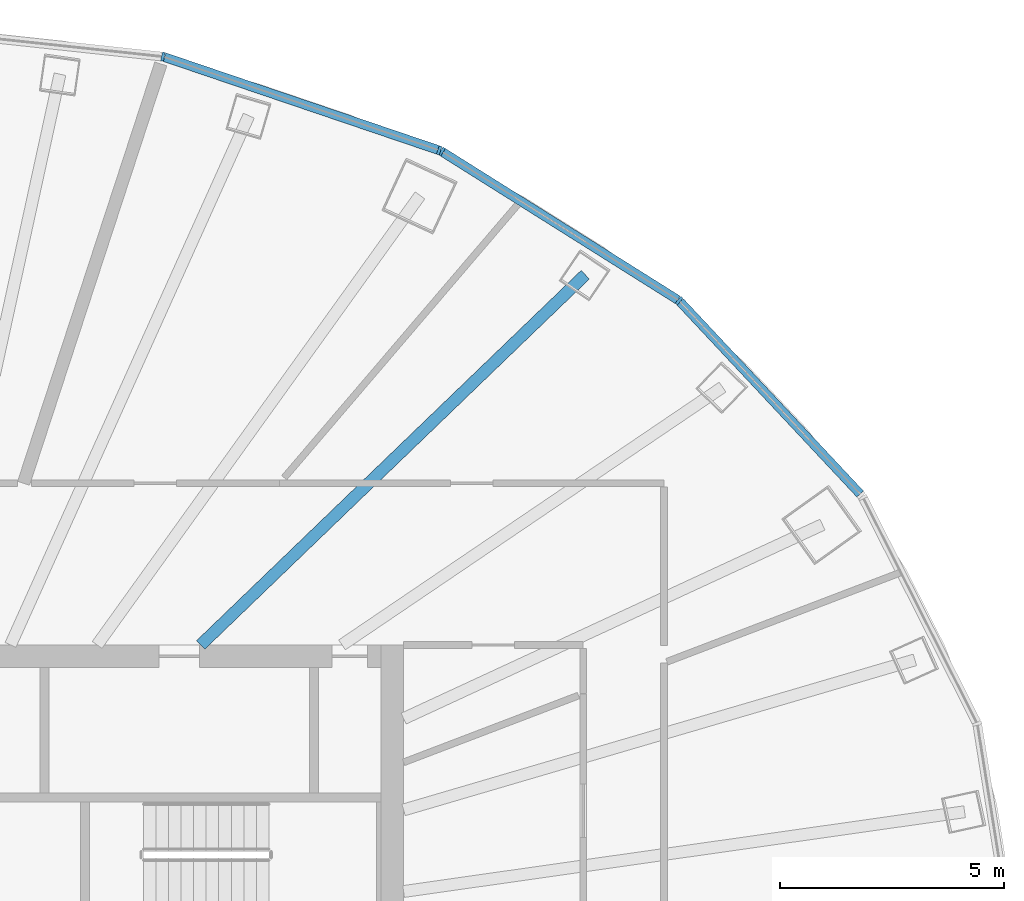
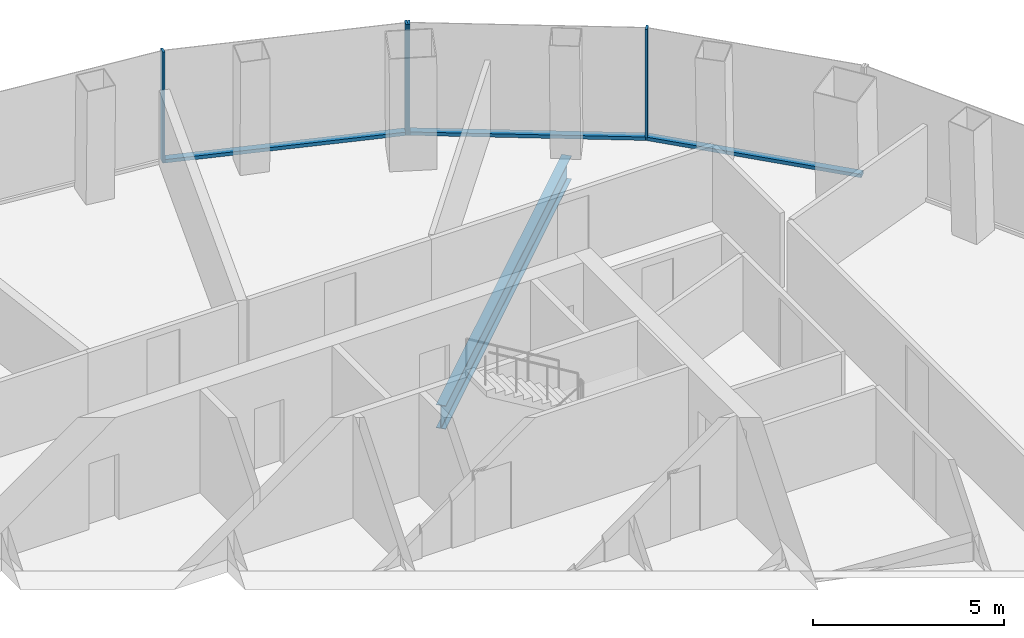
# One storey, part 6 of 12: 7 members, 1 beam, 2 elements without a shape of their own.
"""IFC4 building model written with IfcOpenShell, lengths in metres."""

import ifcopenshell
import ifcopenshell.guid

model = None  # the IFC model being written
_history = None  # IfcOwnerHistory: only IFC2X3 demands one
_inside = {}  # id of a spatial element -> (the spatial element, [elements in it])
_under = {}  # id of a project, library or spatial element -> (it, [spatial elements below it])
_declared = {}  # id of a project -> (the project, [libraries it declares])
_typed = {}  # id of a type object -> (the type object, [elements of that type])
_made_of = {}  # id of a material, layer set ... -> (it, [elements and type objects made of it])


def new_model(schema):
    """Start an empty IFC model of exactly this schema.

    Asked for "IFC4X3", IfcOpenShell would pick the latest addendum, in which some entities
    have other attributes; the version numbers below select the first issue.
    IFC2X3 requires an IfcOwnerHistory on every rooted entity: one is made here for all.
    """
    global model, _history
    if schema == "IFC4X3":
        model = ifcopenshell.file(schema_version=(4, 3, 0, 0))
    else:
        model = ifcopenshell.file(schema=schema)
    _inside.clear()
    _under.clear()
    _declared.clear()
    _typed.clear()
    _made_of.clear()
    _history = None
    if model.schema == "IFC2X3":
        org = make("IfcOrganization", Name="unknown")
        user = make(
            "IfcPersonAndOrganization",
            ThePerson=make("IfcPerson", FamilyName="unknown"),
            TheOrganization=org,
        )
        app = make(
            "IfcApplication",
            ApplicationDeveloper=org,
            Version="unknown",
            ApplicationFullName="unknown",
            ApplicationIdentifier="unknown",
        )
        _history = make(
            "IfcOwnerHistory",
            OwningUser=user,
            OwningApplication=app,
            ChangeAction="ADDED",
            CreationDate=0,
        )
    return model


def make(cls, **values):
    """One entity of the class cls with the attributes given. An attribute that is None is left unset."""
    return model.create_entity(
        cls, **{name: value for name, value in values.items() if value is not None}
    )


def rooted(cls, **values):
    """An entity with a GlobalId (a new one), such as an element, a storey or a relation."""
    return make(cls, GlobalId=ifcopenshell.guid.new(), OwnerHistory=_history, **values)


def si_unit(unit_type, name, prefix=None):
    """IfcSIUnit, for example si_unit("LENGTHUNIT", "METRE", prefix="MILLI")."""
    return make("IfcSIUnit", UnitType=unit_type, Prefix=prefix, Name=name)


def assignment(units):
    """IfcUnitAssignment: the units of a project."""
    return None if units is None else make("IfcUnitAssignment", Units=units)


def point(xyz):
    """IfcCartesianPoint."""
    return None if xyz is None else make("IfcCartesianPoint", Coordinates=xyz)


def direction(xyz):
    """IfcDirection."""
    return None if xyz is None else make("IfcDirection", DirectionRatios=xyz)


def frame(location, z_axis=None, x_axis=None):
    """IfcAxis2Placement3D, a coordinate frame: its origin and axes. An axis left out is left unset."""
    return make(
        "IfcAxis2Placement3D",
        Location=point(location),
        Axis=direction(z_axis),
        RefDirection=direction(x_axis),
    )


def frame_2d(location, x_axis=None):
    """IfcAxis2Placement2D, a coordinate frame in the plane: its origin and x axis."""
    return make(
        "IfcAxis2Placement2D", Location=point(location), RefDirection=direction(x_axis)
    )


def origin():
    """The frame at (0, 0, 0) with its axes left unset."""
    return frame((0.0, 0.0, 0.0))


def origin_2d():
    """The frame at (0, 0) in the plane with its x axis left unset."""
    return frame_2d((0.0, 0.0))


def place(relative_to, where):
    """IfcLocalPlacement: puts the frame where relative to a parent placement (None: the world)."""
    return make(
        "IfcLocalPlacement", PlacementRelTo=relative_to, RelativePlacement=where
    )


def context(
    kind, dimensions, precision=None, world=None, true_north=None, identifier=None
):
    """IfcGeometricRepresentationContext, for example the 3D "Model" context."""
    return make(
        "IfcGeometricRepresentationContext",
        ContextIdentifier=identifier,
        ContextType=kind,
        CoordinateSpaceDimension=dimensions,
        Precision=precision,
        WorldCoordinateSystem=world,
        TrueNorth=true_north,
    )


def subcontext(parent, identifier, kind, view, scale=None):
    """IfcGeometricRepresentationSubContext, for example "Body" below "Model"."""
    return make(
        "IfcGeometricRepresentationSubContext",
        ContextIdentifier=identifier,
        ContextType=kind,
        ParentContext=parent,
        TargetScale=scale,
        TargetView=view,
    )


def project(units=None, contexts=None):
    """IfcProject with its units and contexts."""
    return rooted(
        "IfcProject",
        Name="project",
        RepresentationContexts=contexts,
        UnitsInContext=assignment(units),
    )


def spatial(cls, under=None, at=None, **own):
    """A site, building, storey or space (cls), placed at a placement, below another one or the project."""
    s = rooted(cls, ObjectPlacement=at, **own)
    if under is not None:
        _under.setdefault(under.id(), (under, []))[1].append(s)
    return s


def profile(cls, at=None, kind="AREA", **sizes):
    """A parametric profile (cls). Its sizes go by their IFC names, for example OverallWidth=200.0."""
    return make(cls, ProfileType=kind, Position=at, **sizes)


def rectangle(**sizes):
    """IfcRectangleProfileDef."""
    return profile("IfcRectangleProfileDef", **sizes)


def i_section(**sizes):
    """IfcIShapeProfileDef."""
    return profile("IfcIShapeProfileDef", **sizes)


def extrude(swept, where, along, depth):
    """IfcExtrudedAreaSolid: the profile swept, set in the frame where, extruded along a direction by depth."""
    return make(
        "IfcExtrudedAreaSolid",
        SweptArea=swept,
        Position=where,
        ExtrudedDirection=direction(along),
        Depth=depth,
    )


def shape(context_of_items, identifier, shape_type, items):
    """IfcShapeRepresentation: the items that make up one representation, for example the "Body"."""
    return make(
        "IfcShapeRepresentation",
        ContextOfItems=context_of_items,
        RepresentationIdentifier=identifier,
        RepresentationType=shape_type,
        Items=items,
    )


def material(Name=None, Category=None):
    """IfcMaterial."""
    return make("IfcMaterial", Name=Name, Category=Category)


def layer(
    of_material, thickness, ventilated=None, Name=None, Category=None, Priority=None
):
    """IfcMaterialLayer: one layer of a wall or slab, of a material (None: an air gap)."""
    return make(
        "IfcMaterialLayer",
        Material=of_material,
        LayerThickness=thickness,
        IsVentilated=ventilated,
        Name=Name,
        Category=Category,
        Priority=Priority,
    )


def layer_set(layers, Name=None):
    """IfcMaterialLayerSet."""
    return make("IfcMaterialLayerSet", MaterialLayers=layers, LayerSetName=Name)


def material_profile(
    of_material, cross_section, Name=None, Category=None, Priority=None
):
    """IfcMaterialProfile: a cross section and its material."""
    return make(
        "IfcMaterialProfile",
        Name=Name,
        Material=of_material,
        Profile=cross_section,
        Priority=Priority,
        Category=Category,
    )


def profile_set(profiles, Name=None, composite=None):
    """IfcMaterialProfileSet."""
    return make(
        "IfcMaterialProfileSet",
        Name=Name,
        MaterialProfiles=profiles,
        CompositeProfile=composite,
    )


def made_of(thing, what):
    """Note that an element or type object is made of a material, layer set ...; save() writes the relation."""
    if what is not None:
        _made_of.setdefault(what.id(), (what, []))[1].append(thing)
    return thing


def type_object(cls, material=None, **own):
    """A type object (cls), such as IfcWallType, which elements share."""
    return made_of(rooted(cls, **own), material)


def element(
    cls,
    number,
    at=None,
    inside=None,
    cuts=None,
    type_object=None,
    material=None,
    context=None,
    identifier="Body",
    shape_type=None,
    held_by="IfcProductDefinitionShape",
    body=None,
    shapes=None,
    **own,
):
    """One element of the class cls, such as IfcWall. Its Tag is "e" and its number.

    at: its placement. inside: the storey or other place that contains it. cuts: it is an
    opening in that element (IfcRelVoidsElement). A single representation is given by context,
    identifier, shape_type and body (its items); several are given by shapes. held_by: the class
    of the entity that holds the representations. save() writes the other relations.
    """
    e = rooted(cls, Tag="e%d" % number, ObjectPlacement=at, **own)
    if body is not None:
        shapes = [shape(context, identifier, shape_type, body)]
    if shapes is not None:
        e.Representation = make(held_by, Representations=shapes)
    if inside is not None:
        _inside.setdefault(inside.id(), (inside, []))[1].append(e)
    if cuts is not None:
        rooted(
            "IfcRelVoidsElement", RelatingBuildingElement=cuts, RelatedOpeningElement=e
        )
    if type_object is not None:
        _typed.setdefault(type_object.id(), (type_object, []))[1].append(e)
    return made_of(e, material)


def aggregate(whole, parts):
    """IfcRelAggregates: a whole, such as a stair, and the parts it consists of."""
    return rooted("IfcRelAggregates", RelatingObject=whole, RelatedObjects=parts)


def save(model, path):
    """Write the relations noted so far, then the file.

    IfcRelAggregates (storeys below a building ...), IfcRelContainedInSpatialStructure (elements
    in a storey), IfcRelDefinesByType, IfcRelAssociatesMaterial and IfcRelDeclares: one each for
    every whole, place, type object, material and project.
    """
    for whole, parts in _under.values():
        aggregate(whole, parts)
    for where, things in _inside.values():
        rooted(
            "IfcRelContainedInSpatialStructure",
            RelatedElements=things,
            RelatingStructure=where,
        )
    for kind, things in _typed.values():
        rooted("IfcRelDefinesByType", RelatedObjects=things, RelatingType=kind)
    for what, things in _made_of.values():
        rooted("IfcRelAssociatesMaterial", RelatedObjects=things, RelatingMaterial=what)
    for by, libraries in _declared.values():
        rooted("IfcRelDeclares", RelatingContext=by, RelatedDefinitions=libraries)
    model.write(path)


model = new_model("IFC4")

# Units and contexts
model_context = context("Model", 3, precision=1e-05, world=origin(), true_north=direction((0.0, 1.0)))
body_context = subcontext(model_context, "Body", "Model", "MODEL_VIEW")
ifc_project = project(units=[si_unit("LENGTHUNIT", "METRE"), si_unit("AREAUNIT", "SQUARE_METRE"), si_unit("VOLUMEUNIT", "CUBIC_METRE"), si_unit("PLANEANGLEUNIT", "RADIAN"), si_unit("MASSUNIT", "GRAM", prefix="KILO")], contexts=[model_context])

# Site, building, storey
site_placement = place(None, origin())
site = spatial("IfcSite", under=ifc_project, at=site_placement, CompositionType="ELEMENT")
building_placement = place(site_placement, origin())
building = spatial("IfcBuilding", under=site, at=building_placement, Name="Siaravel Broadcast Tower", CompositionType="ELEMENT")
storey_placement = place(building_placement, frame((0.0, 0.0, 111.89990234375)))
storey = spatial("IfcBuildingStorey", under=building, at=storey_placement, Name="L26", CompositionType="ELEMENT", Elevation=111.89990234375)

# Beam
ifc_material_1 = material(Name="Steel S355", Category="steel")
ifc_material_profile_1 = material_profile(ifc_material_1, i_section(OverallWidth=0.26513671875, OverallDepth=0.75390625, WebThickness=0.0126953125, FlangeThickness=0.017578125, FilletRadius=0.0166015625, at=origin_2d()))
ifc_profile_set_1 = profile_set([ifc_material_profile_1], Name="Steel S355")
beam_type = type_object("IfcBeamType", Name="BM-UB 762x267x147", PredefinedType="BEAM", material=ifc_profile_set_1)
beam_placement = place(storey_placement, frame((16.046875, 15.447509765625, -0.52685546875), z_axis=(-0.720435694, -0.693521745, 0.0), x_axis=(0.693521745, -0.720435694, 0.0)))
element("IfcBeam", 1, at=beam_placement, inside=storey, type_object=beam_type, Name="Radial beam RB06", PredefinedType="BEAM", context=body_context, shape_type="SweptSolid", body=[
    extrude(i_section(OverallWidth=0.26513671875, OverallDepth=0.75390625, WebThickness=0.0126953125, FlangeThickness=0.017578125, FilletRadius=0.0166015625, at=origin_2d()), origin(), (0.0, 0.0, 1.0), 11.892333984375),
])

# Curtain wall, members
ifc_material_2 = material(Name="Aluminium 6063-T6", Category="aluminium")
ifc_layer = layer(ifc_material_2, 0.199951171875)
ifc_layer_set = layer_set([ifc_layer], Name="Aluminium 6063-T6")
curtain_wall_type = type_object("IfcCurtainWallType", Name="Unitised curtain wall, zone 2", PredefinedType="NOTDEFINED", material=ifc_layer_set)
curtain_wall_1_placement = place(storey_placement, origin())
curtain_wall_1 = element("IfcCurtainWall", 2, at=curtain_wall_1_placement, inside=storey, type_object=curtain_wall_type, Name="L26 Unitised curtain wall, zone 2 02", PredefinedType="NOTDEFINED")
ifc_material_profile_2 = material_profile(ifc_material_2, rectangle(XDim=0.199951171875, YDim=0.06494140625, at=origin_2d()))
ifc_profile_set_2 = profile_set([ifc_material_profile_2], Name="Aluminium 6063-T6")
member_type_1 = type_object("IfcMemberType", Name="CW-Z2 mullion", PredefinedType="MULLION", material=ifc_profile_set_2)
member_1_placement = place(storey_placement, frame((18.137451171875, 14.869384765625, 0.0), z_axis=(0.0, 0.0, 1.0), x_axis=(-0.63621839, -0.771509015, 0.0)))
member_1 = element("IfcMember", 3, at=member_1_placement, type_object=member_type_1, Name="CW-Z2 mullion 2", PredefinedType="MULLION", context=body_context, shape_type="SweptSolid", body=[
    extrude(rectangle(XDim=0.199951171875, YDim=0.06494140625, at=origin_2d()), origin(), (0.0, 0.0, 1.0), 3.550048828125),
])
member_2_placement = place(storey_placement, frame((12.8515625, 18.191650390625, 0.0), z_axis=(0.0, 0.0, 1.0), x_axis=(-0.532149019, -0.846650708, 0.0)))
member_2 = element("IfcMember", 4, at=member_2_placement, type_object=member_type_1, Name="CW-Z2 mullion 3", PredefinedType="MULLION", context=body_context, shape_type="SweptSolid", body=[
    extrude(rectangle(XDim=0.199951171875, YDim=0.06494140625, at=origin_2d()), origin(), (0.0, 0.0, 1.0), 3.550048828125),
])

curtain_wall_2_placement = place(storey_placement, origin())
curtain_wall_2 = element("IfcCurtainWall", 5, at=curtain_wall_2_placement, inside=storey, type_object=curtain_wall_type, Name="L26 Unitised curtain wall, zone 2 03", PredefinedType="NOTDEFINED")
member_3_placement = place(storey_placement, frame((12.793212890625, 18.21923828125, 0.0), z_axis=(0.0, 0.0, 1.0), x_axis=(-0.321300513, -0.946977286, 0.0)))
member_3 = element("IfcMember", 6, at=member_3_placement, type_object=member_type_1, Name="CW-Z2 mullion 1", PredefinedType="MULLION", context=body_context, shape_type="SweptSolid", body=[
    extrude(rectangle(XDim=0.199951171875, YDim=0.06494140625, at=origin_2d()), origin(), (0.0, 0.0, 1.0), 3.550048828125),
])
member_4_placement = place(storey_placement, frame((6.637939453125, 20.307861328125, 0.0), z_axis=(0.0, 0.0, 1.0), x_axis=(-0.215557996, -0.97649104, 0.0)))
member_4 = element("IfcMember", 7, at=member_4_placement, type_object=member_type_1, Name="CW-Z2 mullion 2", PredefinedType="MULLION", context=body_context, shape_type="SweptSolid", body=[
    extrude(rectangle(XDim=0.199951171875, YDim=0.06494140625, at=origin_2d()), origin(), (0.0, 0.0, 1.0), 3.550048828125),
])

# Member
ifc_material_profile_3 = material_profile(ifc_material_2, rectangle(XDim=0.199951171875, YDim=0.110107421875, at=origin_2d()))
ifc_profile_set_3 = profile_set([ifc_material_profile_3], Name="Aluminium 6063-T6")
member_type_2 = type_object("IfcMemberType", Name="CW-Z2 transom", PredefinedType="USERDEFINED", material=ifc_profile_set_3)
member_5_placement = place(storey_placement, frame((22.17138671875, 10.56298828125, 0.05517578125), z_axis=(-0.683660134, 0.729800536, 0.0), x_axis=(-0.729800536, -0.683660134, 0.0)))
member_5 = element("IfcMember", 8, at=member_5_placement, type_object=member_type_2, Name="CW-Z2 transom 1", ObjectType="TRANSOM", PredefinedType="USERDEFINED", context=body_context, shape_type="SweptSolid", body=[
    extrude(rectangle(XDim=0.199951171875, YDim=0.110107421875, at=origin_2d()), origin(), (0.0, 0.0, 1.0), 5.867919921875),
])

member_6_placement = place(storey_placement, frame((18.10986328125, 14.886474609375, 0.05517578125), z_axis=(-0.846639093, 0.532167499, 0.0), x_axis=(-0.532167499, -0.846639093, 0.0)))
member_6 = element("IfcMember", 9, at=member_6_placement, type_object=member_type_2, Name="CW-Z2 transom 2", ObjectType="TRANSOM", PredefinedType="USERDEFINED", context=body_context, shape_type="SweptSolid", body=[
    extrude(rectangle(XDim=0.199951171875, YDim=0.110107421875, at=origin_2d()), origin(), (0.0, 0.0, 1.0), 6.17822265625),
])

aggregate(curtain_wall_1, [member_1, member_2, member_5, member_6])

member_7_placement = place(storey_placement, frame((12.762451171875, 18.229736328125, 0.05517578125), z_axis=(-0.946973753, 0.321310926, 0.0), x_axis=(-0.321310926, -0.946973753, 0.0)))
member_7 = element("IfcMember", 10, at=member_7_placement, type_object=member_type_2, Name="CW-Z2 transom 1", ObjectType="TRANSOM", PredefinedType="USERDEFINED", context=body_context, shape_type="SweptSolid", body=[
    extrude(rectangle(XDim=0.199951171875, YDim=0.110107421875, at=origin_2d()), origin(), (0.0, 0.0, 1.0), 6.43505859375),
])

aggregate(curtain_wall_2, [member_3, member_4, member_7])

save(model, "model.ifc")
